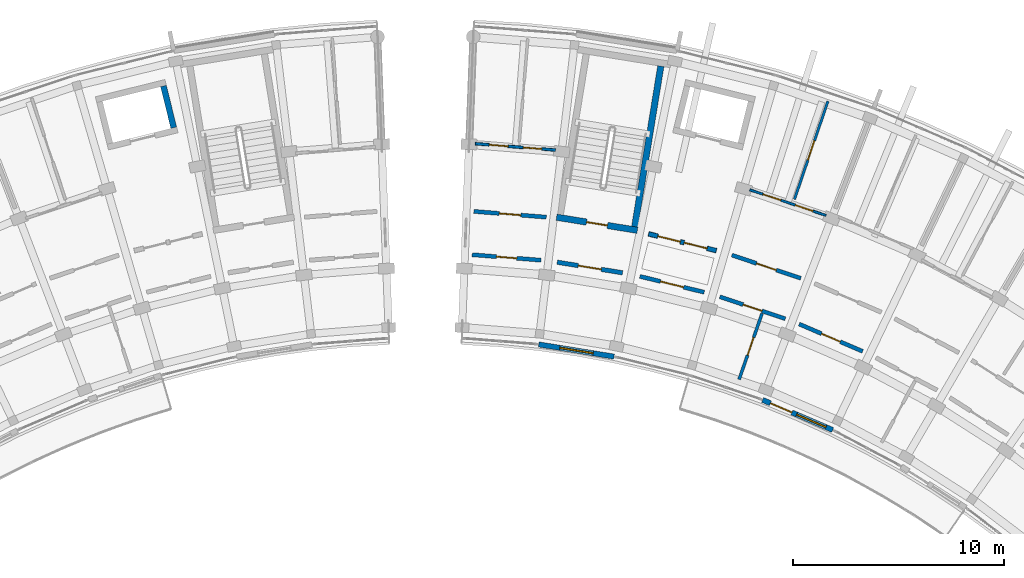
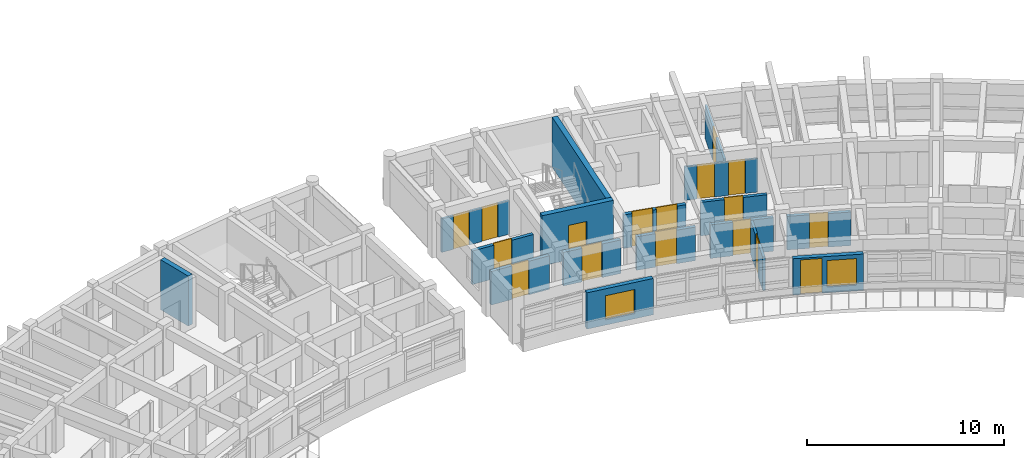
# One storey, part 30 of 54: 17 doors, 17 walls, 2 windows, 19 openings.
"""IFC4 building model written with IfcOpenShell, lengths in metres."""

from ifc_helpers import new_model, si_unit, direction, frame, frame_2d, origin, place, context, subcontext, project, spatial, rectangle, extrude, material, layer, layer_set, type_object, element, fill, save


model = new_model("IFC4")

# Units and contexts
model_context = context("Model", 3, precision=1e-05, world=origin(), true_north=direction((0.0, 1.0)))
body_context = subcontext(model_context, "Body", "Model", "MODEL_VIEW")
ifc_project = project(units=[si_unit("LENGTHUNIT", "METRE"), si_unit("AREAUNIT", "SQUARE_METRE"), si_unit("VOLUMEUNIT", "CUBIC_METRE"), si_unit("PLANEANGLEUNIT", "RADIAN"), si_unit("MASSUNIT", "GRAM", prefix="KILO")], contexts=[model_context])

# Site, building, storey
site_placement = place(None, origin())
site = spatial("IfcSite", under=ifc_project, at=site_placement, CompositionType="ELEMENT")
building_placement = place(site_placement, origin())
building = spatial("IfcBuilding", under=site, at=building_placement, Name="Zimvara Arc Housing Community", CompositionType="ELEMENT")
storey_placement = place(building_placement, frame((0.0, 0.0, 23.60009765625)))
storey = spatial("IfcBuildingStorey", under=building, at=storey_placement, Name="L07", CompositionType="ELEMENT", Elevation=23.60009765625)

# Wall, opening, window
ifc_material_1 = material(Name="Pigmented Fair-Faced Concrete C35/45", Category="concrete")
ifc_layer_1 = layer(ifc_material_1, 0.2451171875)
ifc_layer_set_1 = layer_set([ifc_layer_1], Name="Pigmented Fair-Faced Concrete C35/45")
wall_type_1 = type_object("IfcWallType", Name="EWL-PIGM-245", PredefinedType="SOLIDWALL", material=ifc_layer_set_1)
wall_1_placement = place(storey_placement, frame((50.36474609375, 88.79541015625, 0.0), z_axis=(0.0, 0.0, 1.0), x_axis=(0.987080874485, -0.160222804952, 0.0)))
wall_1 = element("IfcWall", 1, at=wall_1_placement, inside=storey, type_object=wall_type_1, Name="ewall:blkB:L07:in:b1", PredefinedType="SOLIDWALL", context=body_context, shape_type="SweptSolid", body=[
    extrude(rectangle(XDim=3.603759765625, YDim=0.2451171875, at=frame_2d((1.8017578125, 0.0))), origin(), (0.0, 0.0, 1.0), 2.25),
])
opening_1_placement = place(wall_1_placement, frame((1.001708984375, 0.0, 0.320068359375)))
opening_1 = element("IfcOpeningElement", 2, at=opening_1_placement, cuts=wall_1, Name="Opening W03", PredefinedType="OPENING", context=body_context, shape_type="SweptSolid", body=[
    extrude(rectangle(XDim=1.60009765625, YDim=1.5, at=frame_2d((0.800048828125, 0.75))), frame((0.0, 0.132568359375, 0.0), z_axis=(0.0, -1.0, 0.0), x_axis=(1.0, 0.0, 0.0)), (0.0, 0.0, 1.0), 0.26513671875),
])
ifc_material_2 = material(Name="Solar Control Low-E Double Glazing", Category="glass")
window_type_1 = type_object("IfcWindowType", Name="WIN-RES-1600x1500", PartitioningType="DOUBLE_PANEL_VERTICAL", PredefinedType="WINDOW", material=ifc_material_2)
window_1_placement = place(opening_1_placement, origin())
window_1 = element("IfcWindow", 3, at=window_1_placement, inside=storey, type_object=window_type_1, Name="win:blkB:L07:in:b1", OverallHeight=1.5, OverallWidth=1.60009765625, PartitioningType="DOUBLE_PANEL_VERTICAL", PredefinedType="WINDOW", context=body_context, shape_type="SweptSolid", body=[
    extrude(rectangle(XDim=1.60009765625, YDim=1.5, at=frame_2d((0.800048828125, 0.75))), frame((0.0, 0.030029296875, 0.0), z_axis=(0.0, -1.0, 0.0), x_axis=(1.0, 0.0, 0.0)), (0.0, 0.0, 1.0), 0.06005859375),
])
fill(opening_1, window_1)

# Wall, openings, door, window
wall_2_placement = place(storey_placement, frame((60.95068359375, 86.170654296875, 0.0), z_axis=(0.0, 0.0, 1.0), x_axis=(0.918713438577, -0.394924825477, 0.0)))
wall_2 = element("IfcWall", 4, at=wall_2_placement, inside=storey, type_object=wall_type_1, Name="ewall:blkB:L07:in:b4", PredefinedType="SOLIDWALL", context=body_context, shape_type="SweptSolid", body=[
    extrude(rectangle(XDim=3.603515625, YDim=0.2451171875, at=frame_2d((1.8017578125, 0.0))), origin(), (0.0, 0.0, 1.0), 2.25),
])
opening_2_placement = place(wall_2_placement, frame((0.39990234375, 0.0, 0.0)))
opening_2 = element("IfcOpeningElement", 5, at=opening_2_placement, cuts=wall_2, Name="Opening ED06", PredefinedType="OPENING", context=body_context, shape_type="SweptSolid", body=[
    extrude(rectangle(XDim=1.10009765625, YDim=2.14990234375, at=frame_2d((0.550048828125, 1.074951171875))), frame((0.0, 0.132568359375, 0.0), z_axis=(0.0, -1.0, 0.0), x_axis=(1.0, 0.0, 0.0)), (0.0, 0.0, 1.0), 0.26513671875),
])
opening_3_placement = place(wall_2_placement, frame((1.753662109375, 0.0, 0.35009765625)))
opening_3 = element("IfcOpeningElement", 6, at=opening_3_placement, cuts=wall_2, Name="Opening W07", PredefinedType="OPENING", context=body_context, shape_type="SweptSolid", body=[
    extrude(rectangle(XDim=1.5, YDim=1.64990234375, at=frame_2d((0.75, 0.824951171875))), frame((0.0, 0.132568359375, 0.0), z_axis=(0.0, -1.0, 0.0), x_axis=(1.0, 0.0, 0.0)), (0.0, 0.0, 1.0), 0.26513671875),
])
ifc_material_3 = material(Name="Anodised Aluminium AW-6063", Category="aluminium")
door_type_1 = type_object("IfcDoorType", Name="EDR-TERR-1100x2150", OperationType="NOTDEFINED", PredefinedType="DOOR", material=ifc_material_3)
door_1_placement = place(opening_2_placement, origin())
door_1 = element("IfcDoor", 7, at=door_1_placement, inside=storey, type_object=door_type_1, Name="edoor:blkB:L07:bal_in:b4", OperationType="SINGLE_SWING_RIGHT", OverallHeight=2.14990234375, OverallWidth=1.10009765625, PredefinedType="DOOR", context=body_context, shape_type="SweptSolid", body=[
    extrude(rectangle(XDim=1.10009765625, YDim=2.14990234375, at=frame_2d((0.550048828125, 1.074951171875))), frame((0.0, 0.02490234375, 0.0), z_axis=(0.0, -1.0, 0.0), x_axis=(1.0, 0.0, 0.0)), (0.0, 0.0, 1.0), 0.050048828125),
])
fill(opening_2, door_1)
ifc_material_4 = material(Name="Solar Control Low-E Double Glazing", Category="glass")
window_type_2 = type_object("IfcWindowType", Name="WIN-RES-1500x1650", PartitioningType="DOUBLE_PANEL_VERTICAL", PredefinedType="WINDOW", material=ifc_material_4)
window_2_placement = place(opening_3_placement, origin())
window_2 = element("IfcWindow", 8, at=window_2_placement, inside=storey, type_object=window_type_2, Name="win:blkB:L07:in:b4:balw", OverallHeight=1.64990234375, OverallWidth=1.5, PartitioningType="DOUBLE_PANEL_VERTICAL", PredefinedType="WINDOW", context=body_context, shape_type="SweptSolid", body=[
    extrude(rectangle(XDim=1.5, YDim=1.64990234375, at=frame_2d((0.75, 0.824951171875))), frame((0.0, 0.030029296875, 0.0), z_axis=(0.0, -1.0, 0.0), x_axis=(1.0, 0.0, 0.0)), (0.0, 0.0, 1.0), 0.06005859375),
])
fill(opening_3, window_2)

# Wall, opening, door
ifc_material_5 = material(Name="Concrete C35/45", Category="concrete")
ifc_layer_2 = layer(ifc_material_5, 0.2099609375)
ifc_layer_set_2 = layer_set([ifc_layer_2], Name="Concrete C35/45")
wall_type_2 = type_object("IfcWallType", Name="IWL-CCF-210", PredefinedType="SOLIDWALL", material=ifc_layer_set_2)
wall_3_placement = place(storey_placement, frame((51.236328125, 92.682861328125, 0.0), z_axis=(0.0, 0.0, 1.0), x_axis=(0.98707079686, -0.160284877599, 0.0)))
wall_3 = element("IfcWall", 9, at=wall_3_placement, inside=storey, type_object=wall_type_2, Name="iwall:blkB:L07:ccf_div:b1", PredefinedType="SOLIDWALL", context=body_context, shape_type="SweptSolid", body=[
    extrude(rectangle(XDim=3.128662109375, YDim=0.2099609375, at=frame_2d((1.564453125, 0.0))), origin(), (0.0, 0.0, 1.0), 2.079833984375),
])
opening_4_placement = place(wall_3_placement, frame((1.014404296875, 0.0, 0.0)))
opening_4 = element("IfcOpeningElement", 10, at=opening_4_placement, cuts=wall_3, Name="Opening FD-CCF1", PredefinedType="OPENING", context=body_context, shape_type="SweptSolid", body=[
    extrude(rectangle(XDim=1.10009765625, YDim=2.14990234375, at=frame_2d((0.550048828125, 1.074951171875))), frame((0.0, 0.114990234375, 0.0), z_axis=(0.0, -1.0, 0.0), x_axis=(1.0, 0.0, 0.0)), (0.0, 0.0, 1.0), 0.22998046875),
])
ifc_material_6 = material(Name="Anodised Aluminium AW-6063", Category="aluminium")
door_type_2 = type_object("IfcDoorType", Name="IDR-CCF-1100x2150", OperationType="NOTDEFINED", PredefinedType="DOOR", material=ifc_material_6)
door_2_placement = place(opening_4_placement, origin())
door_2 = element("IfcDoor", 11, at=door_2_placement, inside=storey, type_object=door_type_2, Name="idoor:blkB:L07:ccf_in:b1", OperationType="SINGLE_SWING_RIGHT", OverallHeight=2.14990234375, OverallWidth=1.10009765625, PredefinedType="DOOR", context=body_context, shape_type="SweptSolid", body=[
    extrude(rectangle(XDim=1.10009765625, YDim=2.14990234375, at=frame_2d((0.550048828125, 1.074951171875))), frame((0.0, 0.02490234375, 0.0), z_axis=(0.0, -1.0, 0.0), x_axis=(1.0, 0.0, 0.0)), (0.0, 0.0, 1.0), 0.050048828125),
])
fill(opening_4, door_2)

# Wall, openings, doors
wall_4_placement = place(storey_placement, frame((55.5576171875, 94.021728515625, 0.0), z_axis=(0.0, 0.0, 1.0), x_axis=(0.970719238682, -0.240216901263, 0.0)))
wall_4 = element("IfcWall", 12, at=wall_4_placement, inside=storey, type_object=wall_type_2, Name="iwall:blkB:L07:ll_div:b2", PredefinedType="SOLIDWALL", context=body_context, shape_type="SweptSolid", body=[
    extrude(rectangle(XDim=3.2958984375, YDim=0.2099609375, at=frame_2d((1.64794921875, 0.0))), origin(), (0.0, 0.0, 1.0), 2.079833984375),
])
opening_5_placement = place(wall_4_placement, frame((0.449951171875, 0.0, 0.0)))
opening_5 = element("IfcOpeningElement", 13, at=opening_5_placement, cuts=wall_4, Name="Opening FD-CCF1", PredefinedType="OPENING", context=body_context, shape_type="SweptSolid", body=[
    extrude(rectangle(XDim=1.10009765625, YDim=2.14990234375, at=frame_2d((0.550048828125, 1.074951171875))), frame((0.0, 0.114990234375, 0.0), z_axis=(0.0, -1.0, 0.0), x_axis=(1.0, 0.0, 0.0)), (0.0, 0.0, 1.0), 0.22998046875),
])
opening_6_placement = place(wall_4_placement, frame((1.72607421875, 0.0, 0.0)))
opening_6 = element("IfcOpeningElement", 14, at=opening_6_placement, cuts=wall_4, Name="Opening D07", PredefinedType="OPENING", context=body_context, shape_type="SweptSolid", body=[
    extrude(rectangle(XDim=1.1201171875, YDim=2.14990234375, at=frame_2d((0.56005859375, 1.074951171875))), frame((0.0, 0.114990234375, 0.0), z_axis=(0.0, -1.0, 0.0), x_axis=(1.0, 0.0, 0.0)), (0.0, 0.0, 1.0), 0.22998046875),
])
ifc_material_7 = material(Name="Mozambican Hardwood", Category="wood")
door_type_3 = type_object("IfcDoorType", Name="IDR-AMN-1120x2150", OperationType="NOTDEFINED", PredefinedType="DOOR", material=ifc_material_7)
door_3_placement = place(opening_6_placement, origin())
door_3 = element("IfcDoor", 15, at=door_3_placement, inside=storey, type_object=door_type_3, Name="idoor:blkB:L07:rs_in:b2", OperationType="SINGLE_SWING_RIGHT", OverallHeight=2.14990234375, OverallWidth=1.1201171875, PredefinedType="DOOR", context=body_context, shape_type="SweptSolid", body=[
    extrude(rectangle(XDim=1.1201171875, YDim=2.14990234375, at=frame_2d((0.56005859375, 1.074951171875))), frame((0.0, 0.02490234375, 0.0), z_axis=(0.0, -1.0, 0.0), x_axis=(1.0, 0.0, 0.0)), (0.0, 0.0, 1.0), 0.050048828125),
])
fill(opening_6, door_3)
door_4_placement = place(opening_5_placement, origin())
door_4 = element("IfcDoor", 16, at=door_4_placement, inside=storey, type_object=door_type_2, Name="idoor:blkB:L07:ll_in:b2", OperationType="SINGLE_SWING_LEFT", OverallHeight=2.14990234375, OverallWidth=1.10009765625, PredefinedType="DOOR", context=body_context, shape_type="SweptSolid", body=[
    extrude(rectangle(XDim=1.10009765625, YDim=2.14990234375, at=frame_2d((0.550048828125, 1.074951171875))), frame((0.0, 0.02490234375, 0.0), z_axis=(0.0, -1.0, 0.0), x_axis=(1.0, 0.0, 0.0)), (0.0, 0.0, 1.0), 0.050048828125),
])
fill(opening_5, door_4)

# Wall, opening, door
ifc_material_8 = material(Name="Concrete C35/45", Category="concrete")
ifc_layer_3 = layer(ifc_material_8, 0.18994140625)
ifc_layer_set_3 = layer_set([ifc_layer_3], Name="Concrete C35/45")
wall_type_3 = type_object("IfcWallType", Name="IWL-CORR-190", PredefinedType="SOLIDWALL", material=ifc_layer_set_3)
wall_5_placement = place(storey_placement, frame((47.293212890625, 95.0849609375, 0.0), z_axis=(0.0, 0.0, 1.0), x_axis=(0.996862545573, -0.079152165058, 0.0)))
wall_5 = element("IfcWall", 17, at=wall_5_placement, inside=storey, type_object=wall_type_3, Name="iwall:blkB:L07:corr_out:b0", PredefinedType="SOLIDWALL", context=body_context, shape_type="SweptSolid", body=[
    extrude(rectangle(XDim=3.43603515625, YDim=0.18994140625, at=frame_2d((1.718017578125, 0.0))), origin(), (0.0, 0.0, 1.0), 2.079833984375),
])
opening_7_placement = place(wall_5_placement, frame((1.2080078125, 0.0, 0.0)))
opening_7 = element("IfcOpeningElement", 18, at=opening_7_placement, cuts=wall_5, Name="Opening FD-FL2", PredefinedType="OPENING", context=body_context, shape_type="SweptSolid", body=[
    extrude(rectangle(XDim=1.02001953125, YDim=2.14990234375, at=frame_2d((0.510009765625, 1.074951171875))), frame((0.0, 0.10498046875, 0.0), z_axis=(0.0, -1.0, 0.0), x_axis=(1.0, 0.0, 0.0)), (0.0, 0.0, 1.0), 0.2099609375),
])
ifc_material_9 = material(Name="Mozambican Hardwood", Category="wood")
door_type_4 = type_object("IfcDoorType", Name="IDR-FLAT-1020x2150", OperationType="NOTDEFINED", PredefinedType="DOOR", material=ifc_material_9)
door_5_placement = place(opening_7_placement, origin())
door_5 = element("IfcDoor", 19, at=door_5_placement, inside=storey, type_object=door_type_4, Name="idoor:blkB:L07:flat:b0", OperationType="SINGLE_SWING_LEFT", OverallHeight=2.14990234375, OverallWidth=1.02001953125, PredefinedType="DOOR", context=body_context, shape_type="SweptSolid", body=[
    extrude(rectangle(XDim=1.02001953125, YDim=2.14990234375, at=frame_2d((0.510009765625, 1.074951171875))), frame((0.0, 0.02490234375, 0.0), z_axis=(0.0, -1.0, 0.0), x_axis=(1.0, 0.0, 0.0)), (0.0, 0.0, 1.0), 0.050048828125),
])
fill(opening_7, door_5)

wall_6_placement = place(storey_placement, frame((47.214599609375, 93.036376953125, 0.0), z_axis=(0.0, 0.0, 1.0), x_axis=(0.99686660806, -0.07910098441, 0.0)))
wall_6 = element("IfcWall", 20, at=wall_6_placement, inside=storey, type_object=wall_type_3, Name="iwall:blkB:L07:corr_in:b0", PredefinedType="SOLIDWALL", context=body_context, shape_type="SweptSolid", body=[
    extrude(rectangle(XDim=3.2685546875, YDim=0.18994140625, at=frame_2d((1.63427734375, 0.0))), origin(), (0.0, 0.0, 1.0), 2.079833984375),
])
opening_8_placement = place(wall_6_placement, frame((1.154296875, 0.0, 0.0)))
opening_8 = element("IfcOpeningElement", 21, at=opening_8_placement, cuts=wall_6, Name="Opening D04", PredefinedType="OPENING", context=body_context, shape_type="SweptSolid", body=[
    extrude(rectangle(XDim=0.9599609375, YDim=2.10009765625, at=frame_2d((0.47998046875, 1.050048828125))), frame((0.0, 0.10498046875, 0.0), z_axis=(0.0, -1.0, 0.0), x_axis=(1.0, 0.0, 0.0)), (0.0, 0.0, 1.0), 0.2099609375),
])
ifc_material_10 = material(Name="Mozambican Hardwood", Category="wood")
door_type_5 = type_object("IfcDoorType", Name="IDR-RM-0960x2100", OperationType="NOTDEFINED", PredefinedType="DOOR", material=ifc_material_10)
door_6_placement = place(opening_8_placement, origin())
door_6 = element("IfcDoor", 22, at=door_6_placement, inside=storey, type_object=door_type_5, Name="idoor:blkB:L07:in_rm:b0", OperationType="SINGLE_SWING_RIGHT", OverallHeight=2.10009765625, OverallWidth=0.9599609375, PredefinedType="DOOR", context=body_context, shape_type="SweptSolid", body=[
    extrude(rectangle(XDim=0.9599609375, YDim=2.10009765625, at=frame_2d((0.47998046875, 1.050048828125))), frame((0.0, 0.02490234375, 0.0), z_axis=(0.0, -1.0, 0.0), x_axis=(1.0, 0.0, 0.0)), (0.0, 0.0, 1.0), 0.050048828125),
])
fill(opening_8, door_6)

wall_7_placement = place(storey_placement, frame((55.146728515625, 92.01318359375, 0.0), z_axis=(0.0, 0.0, 1.0), x_axis=(0.970727194092, -0.240184751078, 0.0)))
wall_7 = element("IfcWall", 23, at=wall_7_placement, inside=storey, type_object=wall_type_3, Name="iwall:blkB:L07:ra_div:b2", PredefinedType="SOLIDWALL", context=body_context, shape_type="SweptSolid", body=[
    extrude(rectangle(XDim=3.128662109375, YDim=0.18994140625, at=frame_2d((1.564453125, 0.0))), origin(), (0.0, 0.0, 1.0), 2.079833984375),
])
opening_9_placement = place(wall_7_placement, frame((1.00439453125, 0.0, 0.0)))
opening_9 = element("IfcOpeningElement", 24, at=opening_9_placement, cuts=wall_7, Name="Opening D07", PredefinedType="OPENING", context=body_context, shape_type="SweptSolid", body=[
    extrude(rectangle(XDim=1.1201171875, YDim=2.14990234375, at=frame_2d((0.56005859375, 1.074951171875))), frame((0.0, 0.10498046875, 0.0), z_axis=(0.0, -1.0, 0.0), x_axis=(1.0, 0.0, 0.0)), (0.0, 0.0, 1.0), 0.2099609375),
])
door_7_placement = place(opening_9_placement, origin())
door_7 = element("IfcDoor", 25, at=door_7_placement, inside=storey, type_object=door_type_3, Name="idoor:blkB:L07:ra_d:b2", OperationType="SINGLE_SWING_LEFT", OverallHeight=2.14990234375, OverallWidth=1.1201171875, PredefinedType="DOOR", context=body_context, shape_type="SweptSolid", body=[
    extrude(rectangle(XDim=1.1201171875, YDim=2.14990234375, at=frame_2d((0.56005859375, 1.074951171875))), frame((0.0, 0.02490234375, 0.0), z_axis=(0.0, -1.0, 0.0), x_axis=(1.0, 0.0, 0.0)), (0.0, 0.0, 1.0), 0.050048828125),
])
fill(opening_9, door_7)

wall_8_placement = place(storey_placement, frame((59.49658203125, 93.017578125, 0.0), z_axis=(0.0, 0.0, 1.0), x_axis=(0.947863007629, -0.318678080151, 0.0)))
wall_8 = element("IfcWall", 26, at=wall_8_placement, inside=storey, type_object=wall_type_3, Name="iwall:blkB:L07:corr_out:b3", PredefinedType="SOLIDWALL", context=body_context, shape_type="SweptSolid", body=[
    extrude(rectangle(XDim=3.43603515625, YDim=0.18994140625, at=frame_2d((1.718017578125, 0.0))), origin(), (0.0, 0.0, 1.0), 2.079833984375),
])
opening_10_placement = place(wall_8_placement, frame((1.22802734375, 0.0, 0.0)))
opening_10 = element("IfcOpeningElement", 27, at=opening_10_placement, cuts=wall_8, Name="Opening FD-FL1", PredefinedType="OPENING", context=body_context, shape_type="SweptSolid", body=[
    extrude(rectangle(XDim=0.97998046875, YDim=2.14990234375, at=frame_2d((0.489990234375, 1.074951171875))), frame((0.0, 0.10498046875, 0.0), z_axis=(0.0, -1.0, 0.0), x_axis=(1.0, 0.0, 0.0)), (0.0, 0.0, 1.0), 0.2099609375),
])
ifc_material_11 = material(Name="Mozambican Hardwood", Category="wood")
door_type_6 = type_object("IfcDoorType", Name="IDR-FLAT-0980x2150", OperationType="NOTDEFINED", PredefinedType="DOOR", material=ifc_material_11)
door_8_placement = place(opening_10_placement, origin())
door_8 = element("IfcDoor", 28, at=door_8_placement, inside=storey, type_object=door_type_6, Name="idoor:blkB:L07:flat:b3", OperationType="SINGLE_SWING_RIGHT", OverallHeight=2.14990234375, OverallWidth=0.97998046875, PredefinedType="DOOR", context=body_context, shape_type="SweptSolid", body=[
    extrude(rectangle(XDim=0.97998046875, YDim=2.14990234375, at=frame_2d((0.489990234375, 1.074951171875))), frame((0.0, 0.02490234375, 0.0), z_axis=(0.0, -1.0, 0.0), x_axis=(1.0, 0.0, 0.0)), (0.0, 0.0, 1.0), 0.050048828125),
])
fill(opening_10, door_8)

wall_9_placement = place(storey_placement, frame((58.92333984375, 91.04931640625, 0.0), z_axis=(0.0, 0.0, 1.0), x_axis=(0.94787351033, -0.318646839643, 0.0)))
wall_9 = element("IfcWall", 29, at=wall_9_placement, inside=storey, type_object=wall_type_3, Name="iwall:blkB:L07:corr_in:b3", PredefinedType="SOLIDWALL", context=body_context, shape_type="SweptSolid", body=[
    extrude(rectangle(XDim=3.2685546875, YDim=0.18994140625, at=frame_2d((1.63427734375, 0.0))), origin(), (0.0, 0.0, 1.0), 2.079833984375),
])
opening_11_placement = place(wall_9_placement, frame((1.164306640625, 0.0, 0.0)))
opening_11 = element("IfcOpeningElement", 30, at=opening_11_placement, cuts=wall_9, Name="Opening D03", PredefinedType="OPENING", context=body_context, shape_type="SweptSolid", body=[
    extrude(rectangle(XDim=0.93994140625, YDim=2.10009765625, at=frame_2d((0.469970703125, 1.050048828125))), frame((0.0, 0.10498046875, 0.0), z_axis=(0.0, -1.0, 0.0), x_axis=(1.0, 0.0, 0.0)), (0.0, 0.0, 1.0), 0.2099609375),
])
ifc_material_12 = material(Name="Mozambican Hardwood", Category="wood")
door_type_7 = type_object("IfcDoorType", Name="IDR-RM-0940x2100", OperationType="NOTDEFINED", PredefinedType="DOOR", material=ifc_material_12)
door_9_placement = place(opening_11_placement, origin())
door_9 = element("IfcDoor", 31, at=door_9_placement, inside=storey, type_object=door_type_7, Name="idoor:blkB:L07:in_rm:b3", OperationType="SINGLE_SWING_LEFT", OverallHeight=2.10009765625, OverallWidth=0.93994140625, PredefinedType="DOOR", context=body_context, shape_type="SweptSolid", body=[
    extrude(rectangle(XDim=0.93994140625, YDim=2.10009765625, at=frame_2d((0.469970703125, 1.050048828125))), frame((0.0, 0.02490234375, 0.0), z_axis=(0.0, -1.0, 0.0), x_axis=(1.0, 0.0, 0.0)), (0.0, 0.0, 1.0), 0.050048828125),
])
fill(opening_11, door_9)

wall_10_placement = place(storey_placement, frame((62.6748046875, 89.758056640625, 0.0), z_axis=(0.0, 0.0, 1.0), x_axis=(0.918723391052, -0.394901672235, 0.0)))
wall_10 = element("IfcWall", 32, at=wall_10_placement, inside=storey, type_object=wall_type_3, Name="iwall:blkB:L07:corr_in:b4", PredefinedType="SOLIDWALL", context=body_context, shape_type="SweptSolid", body=[
    extrude(rectangle(XDim=3.2685546875, YDim=0.18994140625, at=frame_2d((1.63427734375, 0.0))), origin(), (0.0, 0.0, 1.0), 2.079833984375),
])
opening_12_placement = place(wall_10_placement, frame((1.154296875, 0.0, 0.0)))
opening_12 = element("IfcOpeningElement", 33, at=opening_12_placement, cuts=wall_10, Name="Opening D04", PredefinedType="OPENING", context=body_context, shape_type="SweptSolid", body=[
    extrude(rectangle(XDim=0.9599609375, YDim=2.10009765625, at=frame_2d((0.47998046875, 1.050048828125))), frame((0.0, 0.10498046875, 0.0), z_axis=(0.0, -1.0, 0.0), x_axis=(1.0, 0.0, 0.0)), (0.0, 0.0, 1.0), 0.2099609375),
])
door_10_placement = place(opening_12_placement, origin())
door_10 = element("IfcDoor", 34, at=door_10_placement, inside=storey, type_object=door_type_5, Name="idoor:blkB:L07:in_rm:b4", OperationType="SINGLE_SWING_LEFT", OverallHeight=2.10009765625, OverallWidth=0.9599609375, PredefinedType="DOOR", context=body_context, shape_type="SweptSolid", body=[
    extrude(rectangle(XDim=0.9599609375, YDim=2.10009765625, at=frame_2d((0.47998046875, 1.050048828125))), frame((0.0, 0.02490234375, 0.0), z_axis=(0.0, -1.0, 0.0), x_axis=(1.0, 0.0, 0.0)), (0.0, 0.0, 1.0), 0.050048828125),
])
fill(opening_12, door_10)

# Wall, openings, doors
ifc_material_13 = material(Name="Painted Acoustic Plasterboard")
ifc_layer_4 = layer(ifc_material_13, 0.10498046875)
ifc_layer_set_4 = layer_set([ifc_layer_4], Name="Painted Acoustic Plasterboard")
wall_type_4 = type_object("IfcWallType", Name="IWL-PART-105", PredefinedType="PARTITIONING", material=ifc_layer_set_4)
wall_11_placement = place(storey_placement, frame((60.34423828125, 96.105712890625, 0.0), z_axis=(0.0, 0.0, 1.0), x_axis=(0.947876567739, -0.318637744673, 0.0)))
wall_11 = element("IfcWall", 35, at=wall_11_placement, inside=storey, type_object=wall_type_4, Name="iwall:blkB:L07:srv:b3", PredefinedType="PARTITIONING", context=body_context, shape_type="SweptSolid", body=[
    extrude(rectangle(XDim=3.79736328125, YDim=0.10498046875, at=frame_2d((1.898681640625, 0.0))), origin(), (0.0, 0.0, 1.0), 2.079833984375),
])
opening_13_placement = place(wall_11_placement, frame((0.64990234375, 0.0, 0.0)))
opening_13 = element("IfcOpeningElement", 36, at=opening_13_placement, cuts=wall_11, Name="Opening D01", PredefinedType="OPENING", context=body_context, shape_type="SweptSolid", body=[
    extrude(rectangle(XDim=0.89990234375, YDim=2.10009765625, at=frame_2d((0.449951171875, 1.050048828125))), frame((0.0, 0.0625, 0.0), z_axis=(0.0, -1.0, 0.0), x_axis=(1.0, 0.0, 0.0)), (0.0, 0.0, 1.0), 0.125),
])
opening_14_placement = place(wall_11_placement, frame((2.267333984375, 0.0, 0.0)))
opening_14 = element("IfcOpeningElement", 37, at=opening_14_placement, cuts=wall_11, Name="Opening D05", PredefinedType="OPENING", context=body_context, shape_type="SweptSolid", body=[
    extrude(rectangle(XDim=0.8798828125, YDim=2.10009765625, at=frame_2d((0.43994140625, 1.050048828125))), frame((0.0, 0.0625, 0.0), z_axis=(0.0, -1.0, 0.0), x_axis=(1.0, 0.0, 0.0)), (0.0, 0.0, 1.0), 0.125),
])
ifc_material_14 = material(Name="Mozambican Hardwood", Category="wood")
door_type_8 = type_object("IfcDoorType", Name="IDR-RM-0900x2100", OperationType="NOTDEFINED", PredefinedType="DOOR", material=ifc_material_14)
door_11_placement = place(opening_13_placement, origin())
door_11 = element("IfcDoor", 38, at=door_11_placement, inside=storey, type_object=door_type_8, Name="idoor:blkB:L07:kit_liv:b3", OperationType="SINGLE_SWING_LEFT", OverallHeight=2.10009765625, OverallWidth=0.89990234375, PredefinedType="DOOR", context=body_context, shape_type="SweptSolid", body=[
    extrude(rectangle(XDim=0.89990234375, YDim=2.10009765625, at=frame_2d((0.449951171875, 1.050048828125))), frame((0.0, 0.02490234375, 0.0), z_axis=(0.0, -1.0, 0.0), x_axis=(1.0, 0.0, 0.0)), (0.0, 0.0, 1.0), 0.050048828125),
])
fill(opening_13, door_11)
ifc_material_15 = material(Name="Mozambican Hardwood", Category="wood")
door_type_9 = type_object("IfcDoorType", Name="IDR-WC-0880x2100", OperationType="NOTDEFINED", PredefinedType="DOOR", material=ifc_material_15)
door_12_placement = place(opening_14_placement, origin())
door_12 = element("IfcDoor", 39, at=door_12_placement, inside=storey, type_object=door_type_9, Name="idoor:blkB:L07:bath_d:b3", OperationType="SINGLE_SWING_RIGHT", OverallHeight=2.10009765625, OverallWidth=0.8798828125, PredefinedType="DOOR", context=body_context, shape_type="SweptSolid", body=[
    extrude(rectangle(XDim=0.8798828125, YDim=2.10009765625, at=frame_2d((0.43994140625, 1.050048828125))), frame((0.0, 0.02490234375, 0.0), z_axis=(0.0, -1.0, 0.0), x_axis=(1.0, 0.0, 0.0)), (0.0, 0.0, 1.0), 0.050048828125),
])
fill(opening_14, door_12)

# Wall, opening, door
ifc_material_16 = material(Name="Painted Acoustic Plasterboard")
ifc_layer_5 = layer(ifc_material_16, 0.1201171875)
ifc_layer_set_5 = layer_set([ifc_layer_5], Name="Painted Acoustic Plasterboard")
wall_type_5 = type_object("IfcWallType", Name="IWL-PART-120", PredefinedType="PARTITIONING", material=ifc_layer_set_5)
wall_12_placement = place(storey_placement, frame((62.453369140625, 95.654541015625, 0.0), z_axis=(0.0, 0.0, 1.0), x_axis=(0.322916379302, 0.946427499589, 0.0)))
wall_12 = element("IfcWall", 40, at=wall_12_placement, inside=storey, type_object=wall_type_5, Name="iwall:blkB:L07:bed_div:b3", PredefinedType="PARTITIONING", context=body_context, shape_type="SweptSolid", body=[
    extrude(rectangle(XDim=4.89990234375, YDim=0.1201171875, at=frame_2d((2.449951171875, 0.0))), origin(), (0.0, 0.0, 1.0), 2.079833984375),
])
opening_15_placement = place(wall_12_placement, frame((1.965087890625, 0.0, 0.0)))
opening_15 = element("IfcOpeningElement", 41, at=opening_15_placement, cuts=wall_12, Name="Opening D14", PredefinedType="OPENING", context=body_context, shape_type="SweptSolid", body=[
    extrude(rectangle(XDim=0.969970703125, YDim=2.10009765625, at=frame_2d((0.48486328125, 1.050048828125))), frame((0.0, 0.070068359375, 0.0), z_axis=(0.0, -1.0, 0.0), x_axis=(1.0, 0.0, 0.0)), (0.0, 0.0, 1.0), 0.14013671875),
])
ifc_material_17 = material(Name="Mozambican Hardwood", Category="wood")
door_type_10 = type_object("IfcDoorType", Name="IDR-MOD-970x2080", OperationType="NOTDEFINED", PredefinedType="DOOR", material=ifc_material_17)
door_13_placement = place(opening_15_placement, origin())
door_13 = element("IfcDoor", 42, at=door_13_placement, inside=storey, type_object=door_type_10, Name="idoor:blkB:L07:bed_d:b3", OperationType="SINGLE_SWING_LEFT", OverallHeight=2.10009765625, OverallWidth=0.969970703125, PredefinedType="DOOR", context=body_context, shape_type="SweptSolid", body=[
    extrude(rectangle(XDim=0.969970703125, YDim=2.10009765625, at=frame_2d((0.48486328125, 1.050048828125))), frame((0.0, 0.02490234375, 0.0), z_axis=(0.0, -1.0, 0.0), x_axis=(1.0, 0.0, 0.0)), (0.0, 0.0, 1.0), 0.050048828125),
])
fill(opening_15, door_13)

# Wall, openings, doors
ifc_material_18 = material(Name="Painted Acoustic Plasterboard")
ifc_layer_6 = layer(ifc_material_18, 0.125)
ifc_layer_set_6 = layer_set([ifc_layer_6], Name="Painted Acoustic Plasterboard")
wall_type_6 = type_object("IfcWallType", Name="IWL-PART-125", PredefinedType="PARTITIONING", material=ifc_layer_set_6)
wall_13_placement = place(storey_placement, frame((47.3662109375, 98.28662109375, 0.0), z_axis=(0.0, 0.0, 1.0), x_axis=(0.996863138536, -0.079144696778, 0.0)))
wall_13 = element("IfcWall", 43, at=wall_13_placement, inside=storey, type_object=wall_type_6, Name="iwall:blkB:L07:srv:b0", PredefinedType="PARTITIONING", context=body_context, shape_type="SweptSolid", body=[
    extrude(rectangle(XDim=3.79736328125, YDim=0.125, at=frame_2d((1.898681640625, 0.0))), origin(), (0.0, 0.0, 1.0), 2.079833984375),
])
opening_16_placement = place(wall_13_placement, frame((0.64990234375, 0.0, 0.0)))
opening_16 = element("IfcOpeningElement", 44, at=opening_16_placement, cuts=wall_13, Name="Opening D01", PredefinedType="OPENING", context=body_context, shape_type="SweptSolid", body=[
    extrude(rectangle(XDim=0.89990234375, YDim=2.10009765625, at=frame_2d((0.449951171875, 1.050048828125))), frame((0.0, 0.072509765625, 0.0), z_axis=(0.0, -1.0, 0.0), x_axis=(1.0, 0.0, 0.0)), (0.0, 0.0, 1.0), 0.14501953125),
])
opening_17_placement = place(wall_13_placement, frame((2.267333984375, 0.0, 0.0)))
opening_17 = element("IfcOpeningElement", 45, at=opening_17_placement, cuts=wall_13, Name="Opening D05", PredefinedType="OPENING", context=body_context, shape_type="SweptSolid", body=[
    extrude(rectangle(XDim=0.8798828125, YDim=2.10009765625, at=frame_2d((0.43994140625, 1.050048828125))), frame((0.0, 0.072509765625, 0.0), z_axis=(0.0, -1.0, 0.0), x_axis=(1.0, 0.0, 0.0)), (0.0, 0.0, 1.0), 0.14501953125),
])
door_14_placement = place(opening_16_placement, origin())
door_14 = element("IfcDoor", 46, at=door_14_placement, inside=storey, type_object=door_type_8, Name="idoor:blkB:L07:kit_liv:b0", OperationType="SINGLE_SWING_LEFT", OverallHeight=2.10009765625, OverallWidth=0.89990234375, PredefinedType="DOOR", context=body_context, shape_type="SweptSolid", body=[
    extrude(rectangle(XDim=0.89990234375, YDim=2.10009765625, at=frame_2d((0.449951171875, 1.050048828125))), frame((0.0, 0.02490234375, 0.0), z_axis=(0.0, -1.0, 0.0), x_axis=(1.0, 0.0, 0.0)), (0.0, 0.0, 1.0), 0.050048828125),
])
fill(opening_16, door_14)
door_15_placement = place(opening_17_placement, origin())
door_15 = element("IfcDoor", 47, at=door_15_placement, inside=storey, type_object=door_type_9, Name="idoor:blkB:L07:bath_d:b0", OperationType="SINGLE_SWING_RIGHT", OverallHeight=2.10009765625, OverallWidth=0.8798828125, PredefinedType="DOOR", context=body_context, shape_type="SweptSolid", body=[
    extrude(rectangle(XDim=0.8798828125, YDim=2.10009765625, at=frame_2d((0.43994140625, 1.050048828125))), frame((0.0, 0.02490234375, 0.0), z_axis=(0.0, -1.0, 0.0), x_axis=(1.0, 0.0, 0.0)), (0.0, 0.0, 1.0), 0.050048828125),
])
fill(opening_17, door_15)

# Wall, opening, door
ifc_material_19 = material(Name="Painted Acoustic Plasterboard")
ifc_layer_7 = layer(ifc_material_19, 0.14501953125)
ifc_layer_set_7 = layer_set([ifc_layer_7], Name="Painted Acoustic Plasterboard")
wall_type_7 = type_object("IfcWallType", Name="IWL-WET-145", PredefinedType="PARTITIONING", material=ifc_layer_set_7)
wall_14_placement = place(storey_placement, frame((59.8369140625, 87.142578125, 0.0), z_axis=(0.0, 0.0, 1.0), x_axis=(0.328629662527, 0.944458863534, 0.0)))
wall_14 = element("IfcWall", 48, at=wall_14_placement, inside=storey, type_object=wall_type_7, Name="iwall:blkB:L07:ens:b3", PredefinedType="PARTITIONING", context=body_context, shape_type="SweptSolid", body=[
    extrude(rectangle(XDim=3.300048828125, YDim=0.14501953125, at=frame_2d((1.64990234375, 0.0))), origin(), (0.0, 0.0, 1.0), 2.079833984375),
])
opening_18_placement = place(wall_14_placement, frame((1.2099609375, 0.0, 0.0)))
opening_18 = element("IfcOpeningElement", 49, at=opening_18_placement, cuts=wall_14, Name="Opening D05", PredefinedType="OPENING", context=body_context, shape_type="SweptSolid", body=[
    extrude(rectangle(XDim=0.8798828125, YDim=2.10009765625, at=frame_2d((0.43994140625, 1.050048828125))), frame((0.0, 0.08251953125, 0.0), z_axis=(0.0, -1.0, 0.0), x_axis=(1.0, 0.0, 0.0)), (0.0, 0.0, 1.0), 0.1650390625),
])
door_16_placement = place(opening_18_placement, origin())
door_16 = element("IfcDoor", 50, at=door_16_placement, inside=storey, type_object=door_type_9, Name="idoor:blkB:L07:ens_d:b3", OperationType="SINGLE_SWING_RIGHT", OverallHeight=2.10009765625, OverallWidth=0.8798828125, PredefinedType="DOOR", context=body_context, shape_type="SweptSolid", body=[
    extrude(rectangle(XDim=0.8798828125, YDim=2.10009765625, at=frame_2d((0.43994140625, 1.050048828125))), frame((0.0, 0.02490234375, 0.0), z_axis=(0.0, -1.0, 0.0), x_axis=(1.0, 0.0, 0.0)), (0.0, 0.0, 1.0), 0.050048828125),
])
fill(opening_18, door_16)

# Wall
ifc_material_20 = material(Name="Concrete C40/50", Category="concrete")
ifc_layer_8 = layer(ifc_material_20, 0.280029296875)
ifc_layer_set_8 = layer_set([ifc_layer_8], Name="Concrete C40/50")
wall_type_8 = type_object("IfcWallType", Name="WL-CORE-280", PredefinedType="SHEAR", material=ifc_layer_set_8)
wall_15_placement = place(storey_placement, frame((33.103515625, 99.04443359375, 0.0), z_axis=(0.0, 0.0, 1.0), x_axis=(-0.240186044774, 0.970726873995, 0.0)))
element("IfcWall", 51, at=wall_15_placement, inside=storey, type_object=wall_type_8, Name="lwall:LF-A2:L07:left", PredefinedType="SHEAR", context=body_context, shape_type="SweptSolid", body=[
    extrude(rectangle(XDim=2.02978515625, YDim=0.280029296875, at=frame_2d((1.014892578125, 0.0))), origin(), (0.0, 0.0, 1.0), 3.099853515625),
])

# Wall, opening, door
ifc_material_21 = material(Name="Concrete C40/50", Category="concrete")
ifc_layer_9 = layer(ifc_material_21, 0.300048828125)
ifc_layer_set_9 = layer_set([ifc_layer_9], Name="Concrete C40/50")
wall_type_9 = type_object("IfcWallType", Name="WL-CORE-300", PredefinedType="SHEAR", material=ifc_layer_set_9)
wall_16_placement = place(storey_placement, frame((55.026123046875, 94.1904296875, 0.0), z_axis=(0.0, 0.0, 1.0), x_axis=(-0.987077443397, 0.160243941341, 0.0)))
wall_16 = element("IfcWall", 52, at=wall_16_placement, inside=storey, type_object=wall_type_9, Name="cwall:ST-B1:L07:near", PredefinedType="SHEAR", context=body_context, shape_type="SweptSolid", body=[
    extrude(rectangle(XDim=3.869873046875, YDim=0.300048828125, at=frame_2d((1.93505859375, 0.0))), origin(), (0.0, 0.0, 1.0), 3.099853515625),
])
opening_19_placement = place(wall_16_placement, frame((1.43505859375, 0.0, 0.0)))
opening_19 = element("IfcOpeningElement", 53, at=opening_19_placement, cuts=wall_16, Name="Opening FD-ST1", PredefinedType="OPENING", context=body_context, shape_type="SweptSolid", body=[
    extrude(rectangle(XDim=1.0, YDim=2.14990234375, at=frame_2d((0.5, 1.074951171875))), frame((0.0, 0.159912109375, 0.0), z_axis=(0.0, -1.0, 0.0), x_axis=(1.0, 0.0, 0.0)), (0.0, 0.0, 1.0), 0.320068359375),
])
ifc_material_22 = material(Name="Anodised Aluminium AW-6063", Category="aluminium")
door_type_11 = type_object("IfcDoorType", Name="IDR-ST-1000x2150", OperationType="NOTDEFINED", PredefinedType="DOOR", material=ifc_material_22)
door_17_placement = place(opening_19_placement, origin())
door_17 = element("IfcDoor", 54, at=door_17_placement, inside=storey, type_object=door_type_11, Name="idoor:ST-B1:L07:entry", OperationType="SINGLE_SWING_LEFT", OverallHeight=2.14990234375, OverallWidth=1.0, PredefinedType="DOOR", context=body_context, shape_type="SweptSolid", body=[
    extrude(rectangle(XDim=1.0, YDim=2.14990234375, at=frame_2d((0.5, 1.074951171875))), frame((0.0, 0.02490234375, 0.0), z_axis=(0.0, -1.0, 0.0), x_axis=(1.0, 0.0, 0.0)), (0.0, 0.0, 1.0), 0.050048828125),
])
fill(opening_19, door_17)

# Wall
wall_17_placement = place(storey_placement, frame((54.902099609375, 94.362548828125, 0.0), z_axis=(0.0, 0.0, 1.0), x_axis=(0.160227496777, 0.987080112897, 0.0)))
element("IfcWall", 55, at=wall_17_placement, inside=storey, type_object=wall_type_9, Name="cwall:ST-B1:L07:left", PredefinedType="SHEAR", context=body_context, shape_type="SweptSolid", body=[
    extrude(rectangle(XDim=7.690185546875, YDim=0.300048828125, at=frame_2d((3.84521484375, 0.0))), origin(), (0.0, 0.0, 1.0), 3.099853515625),
])

save(model, "model.ifc")
